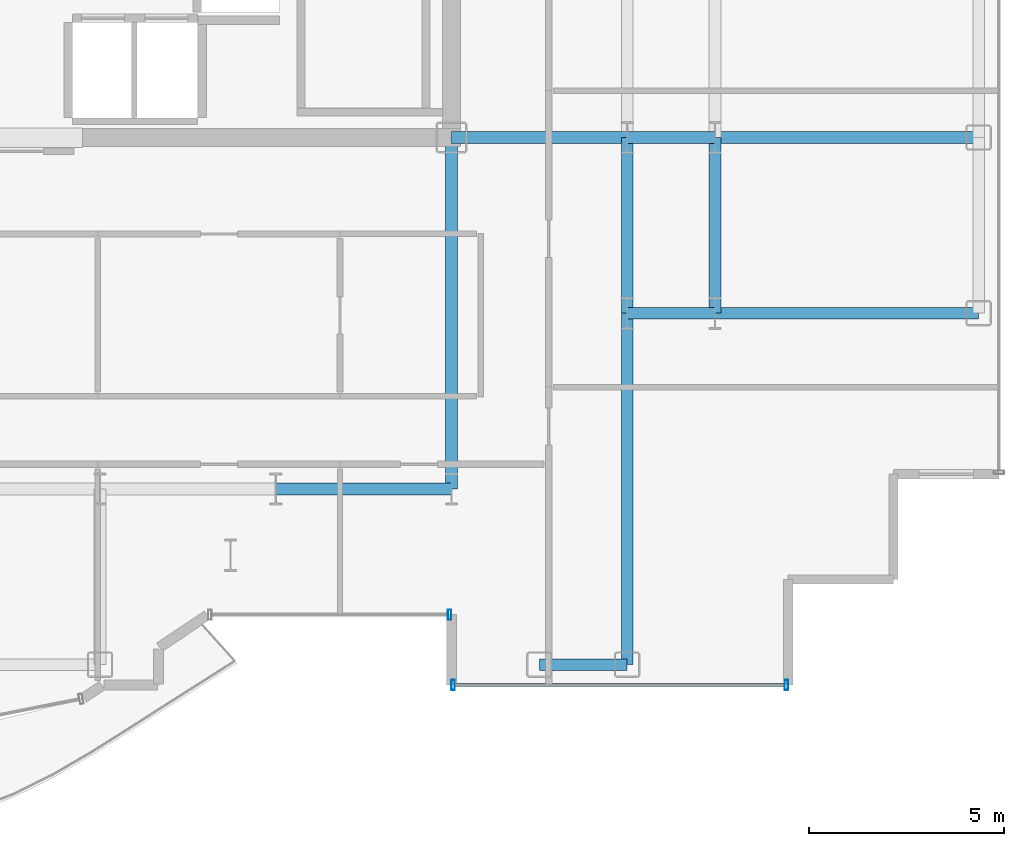
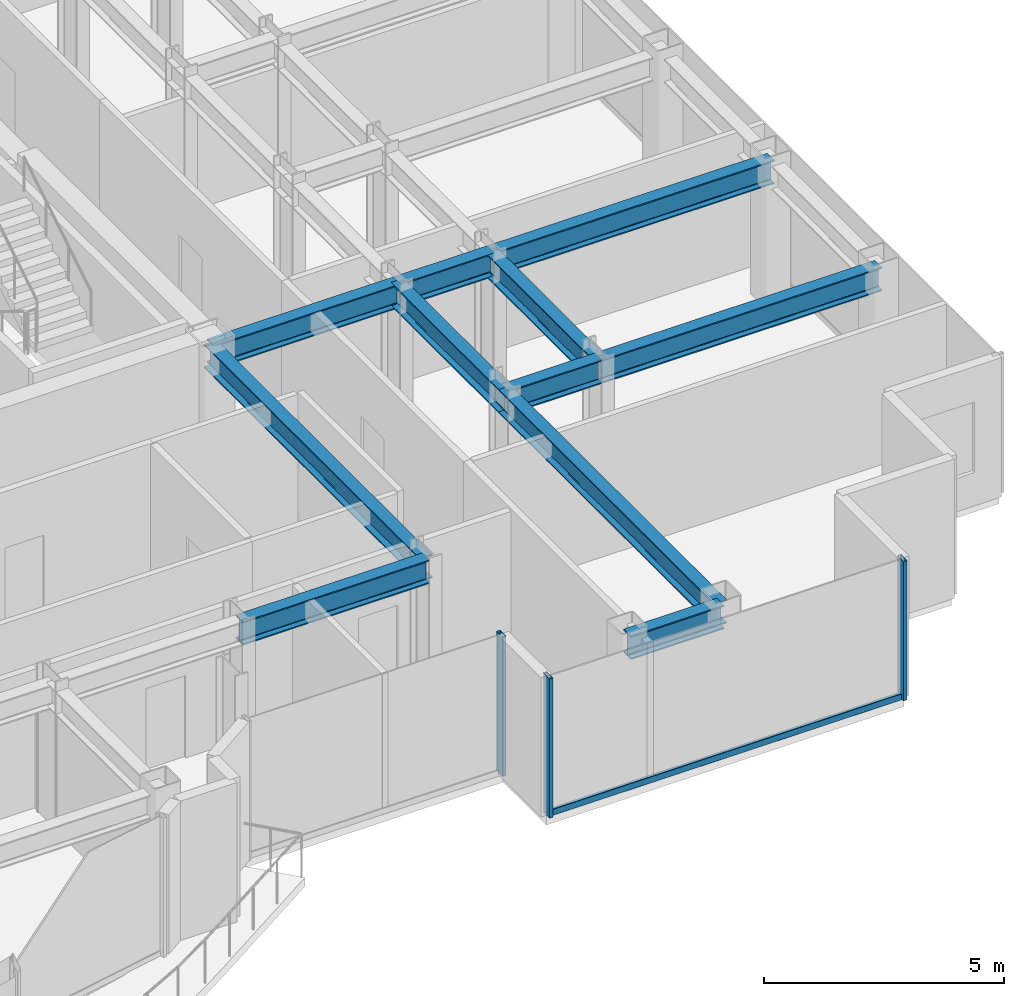
# One storey, part 5 of 21: 11 beams, 4 members, 2 elements without a shape of their own.
"""IFC4 building model written with IfcOpenShell, lengths in metres."""

from ifc_helpers import new_model, si_unit, direction, frame, origin, origin_2d, place, context, subcontext, project, spatial, hollow_rectangle, i_section, extrude, source, transform, mapped, material, layer, layer_set, material_profile, profile_set, type_object, element, aggregate, save


model = new_model("IFC4")

# Units and contexts
model_context = context("Model", 3, precision=1e-05, world=origin(), true_north=direction((0.0, 1.0)))
body_context = subcontext(model_context, "Body", "Model", "MODEL_VIEW")
ifc_project = project(units=[si_unit("LENGTHUNIT", "METRE"), si_unit("AREAUNIT", "SQUARE_METRE"), si_unit("VOLUMEUNIT", "CUBIC_METRE"), si_unit("PLANEANGLEUNIT", "RADIAN"), si_unit("MASSUNIT", "GRAM", prefix="KILO")], contexts=[model_context])

# Site, building, storey
site_placement = place(None, origin())
site = spatial("IfcSite", under=ifc_project, at=site_placement, CompositionType="ELEMENT")
building_placement = place(site_placement, origin())
building = spatial("IfcBuilding", under=site, at=building_placement, Name="Nefas-Gora Pilgrimage Tower", CompositionType="ELEMENT")
storey_placement = place(building_placement, frame((0.0, 0.0, 233.199951171875)))
storey = spatial("IfcBuildingStorey", under=building, at=storey_placement, Name="L58", CompositionType="ELEMENT", Elevation=233.199951171875)

# Beams
ifc_material_1 = material(Name="Steel S355", Category="steel")
ifc_material_profile_1 = material_profile(ifc_material_1, i_section(OverallWidth=0.300048828125, OverallDepth=0.60009765625, WebThickness=0.015380859375, FlangeThickness=0.030029296875, FilletRadius=0.027099609375, at=origin_2d()), Name="HEB 600")
ifc_profile_set_1 = profile_set([ifc_material_profile_1], Name="Steel S355")
beam_type_1 = type_object("IfcBeamType", Name="BM-GIR-HEB600", PredefinedType="BEAM", material=ifc_profile_set_1)
shared_shape_1 = source(origin(), body_context, "Body", "SweptSolid", [
    extrude(i_section(OverallWidth=0.300048828125, OverallDepth=0.60009765625, WebThickness=0.015380859375, FlangeThickness=0.030029296875, FilletRadius=0.027099609375, at=origin_2d()), origin(), (0.0, 0.0, 1.0), 9.0),
])
for number, where, z_axis, x_axis, name in (
    (1, (11.25, -18.0, 3.25), (0.0, 1.0, 0.0), (-1.0, 0.0, 0.0), "L58 G-04 beam"),
    (2, (15.75, -22.5, 3.25), (0.0, 1.0, 0.0), (-1.0, 0.0, 0.0), "L58 G-04 beam"),
):
    element("IfcBeam", number, at=place(storey_placement, frame(where, z_axis=z_axis, x_axis=x_axis)), inside=storey, type_object=beam_type_1, Name=name, PredefinedType="BEAM", context=body_context, shape_type="MappedRepresentation", body=[
        mapped(shared_shape_1, transform((0.0, 0.0, 0.0), x_axis=(1.0, 0.0, 0.0), y_axis=(0.0, 1.0, 0.0), z_axis=(0.0, 0.0, 1.0), scale=1.0)),
    ])
shared_shape_2 = source(origin(), body_context, "Body", "SweptSolid", [
    extrude(i_section(OverallWidth=0.300048828125, OverallDepth=0.60009765625, WebThickness=0.015380859375, FlangeThickness=0.030029296875, FilletRadius=0.027099609375, at=origin_2d()), origin(), (0.0, 0.0, 1.0), 4.5),
])
for number, where, z_axis, x_axis, name in (
    (3, (6.75, -18.0, 3.25), (1.0, 0.0, 0.0), (0.0, 1.0, 0.0), "L58 G-04 beam"),
    (4, (11.25, -9.0, 3.25), (1.0, 0.0, 0.0), (0.0, 1.0, 0.0), "L58 G-04 beam"),
    (5, (15.75, -13.5, 3.25), (0.0, 1.0, 0.0), (-1.0, 0.0, 0.0), "L58 G-04 beam"),
    (6, (18.0, -13.5, 3.25), (0.0, 1.0, 0.0), (-1.0, 0.0, 0.0), "L58 G-04 beam"),
):
    element("IfcBeam", number, at=place(storey_placement, frame(where, z_axis=z_axis, x_axis=x_axis)), inside=storey, type_object=beam_type_1, Name=name, PredefinedType="BEAM", context=body_context, shape_type="MappedRepresentation", body=[
        mapped(shared_shape_2, transform((0.0, 0.0, 0.0), x_axis=(1.0, 0.0, 0.0), y_axis=(0.0, 1.0, 0.0), z_axis=(0.0, 0.0, 1.0), scale=1.0)),
    ])
shared_shape_3 = source(origin(), body_context, "Body", "SweptSolid", [
    extrude(i_section(OverallWidth=0.300048828125, OverallDepth=0.60009765625, WebThickness=0.015380859375, FlangeThickness=0.030029296875, FilletRadius=0.027099609375, at=origin_2d()), origin(), (0.0, 0.0, 1.0), 6.75),
])
for number, where, z_axis, x_axis, name in (
    (7, (18.0, -13.5, 3.25), (1.0, 0.0, 0.0), (0.0, 1.0, 0.0), "L58 G-04 beam"),
    (8, (18.0, -9.0, 3.25), (1.0, 0.0, 0.0), (0.0, 1.0, 0.0), "L58 G-04 beam"),
):
    element("IfcBeam", number, at=place(storey_placement, frame(where, z_axis=z_axis, x_axis=x_axis)), inside=storey, type_object=beam_type_1, Name=name, PredefinedType="BEAM", context=body_context, shape_type="MappedRepresentation", body=[
        mapped(shared_shape_3, transform((0.0, 0.0, 0.0), x_axis=(1.0, 0.0, 0.0), y_axis=(0.0, 1.0, 0.0), z_axis=(0.0, 0.0, 1.0), scale=1.0)),
    ])
ifc_material_profile_2 = material_profile(ifc_material_1, i_section(OverallWidth=0.300048828125, OverallDepth=0.60009765625, WebThickness=0.015380859375, FlangeThickness=0.030029296875, FilletRadius=0.027099609375, at=origin_2d()), Name="HEB 600")
ifc_profile_set_2 = profile_set([ifc_material_profile_2], Name="Steel S355")
beam_type_2 = type_object("IfcBeamType", Name="BM-SPN-HEB450", PredefinedType="SPANDREL", material=ifc_profile_set_2)
shared_shape_4 = source(origin(), body_context, "Body", "SweptSolid", [
    extrude(i_section(OverallWidth=0.300048828125, OverallDepth=0.60009765625, WebThickness=0.015380859375, FlangeThickness=0.030029296875, FilletRadius=0.027099609375, at=origin_2d()), origin(), (0.0, 0.0, 1.0), 2.25),
])
beam_placement = place(storey_placement, frame((13.5, -22.5, 3.25), z_axis=(1.0, 0.0, 0.0), x_axis=(0.0, 1.0, 0.0)))
element("IfcBeam", 9, at=beam_placement, inside=storey, type_object=beam_type_2, Name="L58 SP-03 beam", PredefinedType="SPANDREL", context=body_context, shape_type="MappedRepresentation", body=[
    mapped(shared_shape_4, transform((0.0, 0.0, 0.0), x_axis=(1.0, 0.0, 0.0), y_axis=(0.0, 1.0, 0.0), z_axis=(0.0, 0.0, 1.0), scale=1.0)),
])
shared_shape_5 = source(origin(), body_context, "Body", "SweptSolid", [
    extrude(i_section(OverallWidth=0.300048828125, OverallDepth=0.60009765625, WebThickness=0.015380859375, FlangeThickness=0.030029296875, FilletRadius=0.027099609375, at=origin_2d()), origin(), (0.0, 0.0, 1.0), 2.25),
])
for number, where, z_axis, x_axis, name in (
    (10, (15.75, -13.5, 3.25), (1.0, 0.0, 0.0), (0.0, 1.0, 0.0), "L58 G-04 beam"),
    (11, (15.75, -9.0, 3.25), (1.0, 0.0, 0.0), (0.0, 1.0, 0.0), "L58 G-04 beam"),
):
    element("IfcBeam", number, at=place(storey_placement, frame(where, z_axis=z_axis, x_axis=x_axis)), inside=storey, type_object=beam_type_1, Name=name, PredefinedType="BEAM", context=body_context, shape_type="MappedRepresentation", body=[
        mapped(shared_shape_5, transform((0.0, 0.0, 0.0), x_axis=(1.0, 0.0, 0.0), y_axis=(0.0, 1.0, 0.0), z_axis=(0.0, 0.0, 1.0), scale=1.0)),
    ])

# Curtain wall, member
ifc_material_2 = material(Name="Dark ceramic-fritted solar-control aluminium-glass curtain wall", Category="aluminium")
ifc_layer_1 = layer(ifc_material_2, 0.219970703125)
ifc_layer_set_1 = layer_set([ifc_layer_1], Name="Dark ceramic-fritted solar-control aluminium-glass curtain wall")
curtain_wall_type_1 = type_object("IfcCurtainWallType", Name="CW-SYS-5", PredefinedType="NOTDEFINED", material=ifc_layer_set_1)
curtain_wall_1_placement = place(storey_placement, origin())
curtain_wall_1 = element("IfcCurtainWall", 12, at=curtain_wall_1_placement, inside=storey, type_object=curtain_wall_type_1, Name="L58 Unitised Curtain Wall CW5", PredefinedType="NOTDEFINED")
ifc_material_3 = material(Name="Anodised architectural aluminium", Category="aluminium")
ifc_material_profile_3 = material_profile(ifc_material_3, hollow_rectangle(XDim=0.090087890625, YDim=0.260009765625, WallThickness=0.006103515625, InnerFilletRadius=0.006103515625, OuterFilletRadius=0.011962890625, at=origin_2d()), Name="ALU MULLION 90x260")
ifc_profile_set_3 = profile_set([ifc_material_profile_3], Name="Anodised architectural aluminium")
member_type_1 = type_object("IfcMemberType", Name="CWM-MUL-5", PredefinedType="MULLION", material=ifc_profile_set_3)
shared_shape_6 = source(origin(), body_context, "Body", "SweptSolid", [
    extrude(hollow_rectangle(XDim=0.090087890625, YDim=0.260009765625, WallThickness=0.006103515625, InnerFilletRadius=0.006103515625, OuterFilletRadius=0.011962890625, at=origin_2d()), origin(), (0.0, 0.0, 1.0), 3.550048828125),
])
member_1_placement = place(storey_placement, frame((11.205078125, -21.219970703125, 0.0), z_axis=(0.0, 0.0, 1.0), x_axis=(1.0, 0.0, 0.0)))
member_1 = element("IfcMember", 13, at=member_1_placement, type_object=member_type_1, Name="CW5 Mullion 2", PredefinedType="MULLION", context=body_context, shape_type="MappedRepresentation", body=[
    mapped(shared_shape_6, transform((0.0, 0.0, 0.0), x_axis=(1.0, 0.0, 0.0), y_axis=(0.0, 1.0, 0.0), z_axis=(0.0, 0.0, 1.0), scale=1.0)),
])
aggregate(curtain_wall_1, [member_1])

# Curtain wall, members
ifc_layer_2 = layer(ifc_material_2, 0.219970703125)
ifc_layer_set_2 = layer_set([ifc_layer_2], Name="Dark ceramic-fritted solar-control aluminium-glass curtain wall")
curtain_wall_type_2 = type_object("IfcCurtainWallType", Name="CW-SYS-3", PredefinedType="NOTDEFINED", material=ifc_layer_set_2)
curtain_wall_2_placement = place(storey_placement, origin())
curtain_wall_2 = element("IfcCurtainWall", 14, at=curtain_wall_2_placement, inside=storey, type_object=curtain_wall_type_2, Name="L58 Unitised Curtain Wall CW3", PredefinedType="NOTDEFINED")
ifc_material_profile_4 = material_profile(ifc_material_3, hollow_rectangle(XDim=0.090087890625, YDim=0.260009765625, WallThickness=0.006103515625, InnerFilletRadius=0.006103515625, OuterFilletRadius=0.011962890625, at=origin_2d()), Name="ALU MULLION 90x260")
ifc_profile_set_4 = profile_set([ifc_material_profile_4], Name="Anodised architectural aluminium")
member_type_2 = type_object("IfcMemberType", Name="CWM-MUL-3", PredefinedType="MULLION", material=ifc_profile_set_4)
shared_shape_7 = source(origin(), body_context, "Body", "SweptSolid", [
    extrude(hollow_rectangle(XDim=0.090087890625, YDim=0.260009765625, WallThickness=0.006103515625, InnerFilletRadius=0.006103515625, OuterFilletRadius=0.011962890625, at=origin_2d()), origin(), (0.0, 0.0, 1.0), 3.550048828125),
])
member_2_placement = place(storey_placement, frame((11.294921875, -23.02001953125, 0.0), z_axis=(0.0, 0.0, 1.0), x_axis=(1.0, 0.0, 0.0)))
member_2 = element("IfcMember", 15, at=member_2_placement, type_object=member_type_2, Name="CW3 Mullion 1", PredefinedType="MULLION", context=body_context, shape_type="MappedRepresentation", body=[
    mapped(shared_shape_7, transform((0.0, 0.0, 0.0), x_axis=(1.0, 0.0, 0.0), y_axis=(0.0, 1.0, 0.0), z_axis=(0.0, 0.0, 1.0), scale=1.0)),
])
member_3_placement = place(storey_placement, frame((19.824951171875, -23.02001953125, 0.0), z_axis=(0.0, 0.0, 1.0), x_axis=(1.0, 0.0, 0.0)))
member_3 = element("IfcMember", 16, at=member_3_placement, type_object=member_type_2, Name="CW3 Mullion 2", PredefinedType="MULLION", context=body_context, shape_type="MappedRepresentation", body=[
    mapped(shared_shape_7, transform((0.0, 0.0, 0.0), x_axis=(1.0, 0.0, 0.0), y_axis=(0.0, 1.0, 0.0), z_axis=(0.0, 0.0, 1.0), scale=1.0)),
])
ifc_material_profile_5 = material_profile(ifc_material_3, hollow_rectangle(XDim=0.080078125, YDim=0.159912109375, WallThickness=0.00439453125, InnerFilletRadius=0.00439453125, OuterFilletRadius=0.009033203125, at=origin_2d()), Name="ALU TRANSOM 80x160")
ifc_profile_set_5 = profile_set([ifc_material_profile_5], Name="Anodised architectural aluminium")
member_type_3 = type_object("IfcMemberType", Name="CWM-TRN-3", PredefinedType="USERDEFINED", material=ifc_profile_set_5)
shared_shape_8 = source(origin(), body_context, "Body", "SweptSolid", [
    extrude(hollow_rectangle(XDim=0.080078125, YDim=0.159912109375, WallThickness=0.00439453125, InnerFilletRadius=0.00439453125, OuterFilletRadius=0.009033203125, at=origin_2d()), origin(), (0.0, 0.0, 1.0), 8.43994140625),
])
member_4_placement = place(storey_placement, frame((11.340087890625, -23.02001953125, 0.050048828125), z_axis=(1.0, 0.0, 0.0), x_axis=(0.0, 1.0, 0.0)))
member_4 = element("IfcMember", 17, at=member_4_placement, type_object=member_type_3, Name="CW3 Spandrel Transom", ObjectType="TRANSOM", PredefinedType="USERDEFINED", context=body_context, shape_type="MappedRepresentation", body=[
    mapped(shared_shape_8, transform((0.0, 0.0, 0.0), x_axis=(1.0, 0.0, 0.0), y_axis=(0.0, 1.0, 0.0), z_axis=(0.0, 0.0, 1.0), scale=1.0)),
])
aggregate(curtain_wall_2, [member_2, member_3, member_4])

save(model, "model.ifc")
